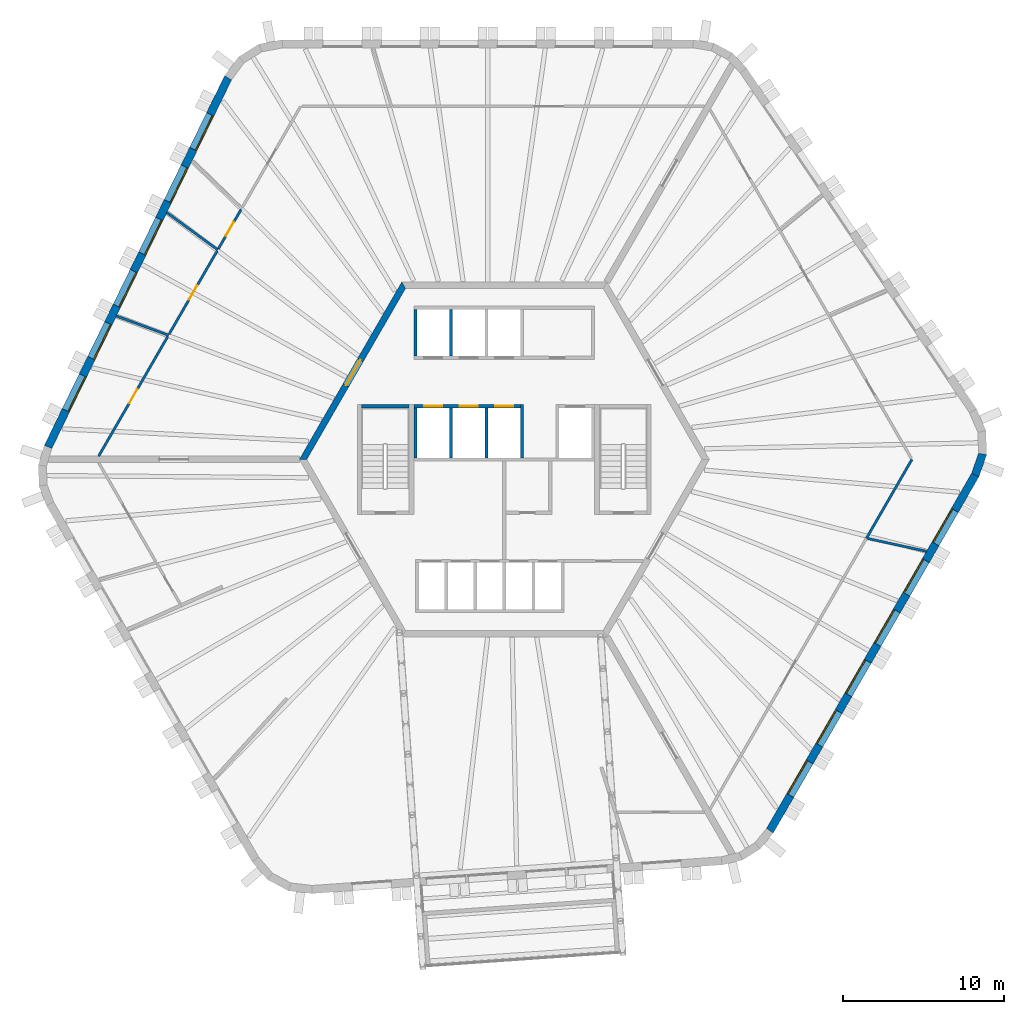
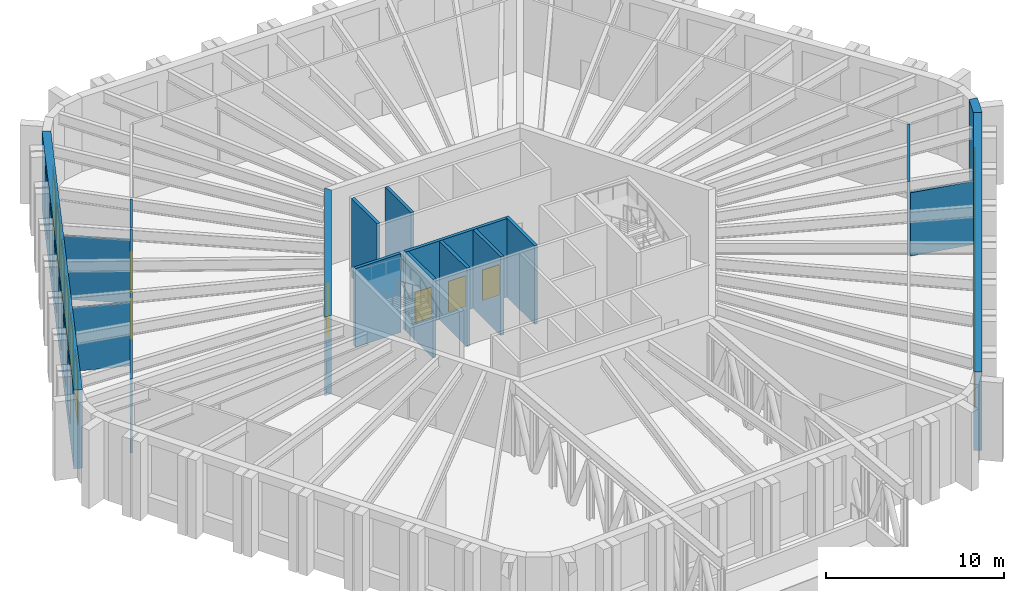
# One storey, part 5 of 9: 19 walls, 12 windows, 7 doors, 19 openings.
"""IFC4 building model written with IfcOpenShell, lengths in metres."""

from ifc_helpers import new_model, si_unit, direction, frame, frame_2d, origin, place, context, subcontext, project, spatial, polyline, rectangle, outline, extrude, material, layer, layer_set, type_object, element, fill, save


model = new_model("IFC4")

# Units and contexts
model_context = context("Model", 3, precision=1e-05, world=origin(), true_north=direction((0.0, 1.0)))
body_context = subcontext(model_context, "Body", "Model", "MODEL_VIEW")
ifc_project = project(units=[si_unit("LENGTHUNIT", "METRE"), si_unit("AREAUNIT", "SQUARE_METRE"), si_unit("VOLUMEUNIT", "CUBIC_METRE"), si_unit("PLANEANGLEUNIT", "RADIAN"), si_unit("MASSUNIT", "GRAM", prefix="KILO")], contexts=[model_context])

# Site, building, storey
site_placement = place(None, origin())
site = spatial("IfcSite", under=ifc_project, at=site_placement, CompositionType="ELEMENT")
building_placement = place(site_placement, origin())
building = spatial("IfcBuilding", under=site, at=building_placement, Name="Tarnside Tower", CompositionType="ELEMENT")
storey_placement = place(building_placement, frame((0.0, 0.0, 338.10009765625)))
storey = spatial("IfcBuildingStorey", under=building, at=storey_placement, Name="L82", CompositionType="ELEMENT", Elevation=338.10009765625)

# Wall, opening, door
ifc_material_1 = material(Name="Concrete C60/75", Category="concrete")
ifc_layer_1 = layer(ifc_material_1, 0.39990234375)
ifc_layer_set_1 = layer_set([ifc_layer_1], Name="Core wall Z3 400 C60/75")
wall_type_1 = type_object("IfcWallType", Name="Core wall Z3 400 C60/75", PredefinedType="SHEAR", material=ifc_layer_set_1)
wall_1_placement = place(storey_placement, frame((-6.2353515625, 10.800048828125, -0.300048828125), z_axis=(0.0, 0.0, 1.0), x_axis=(-0.499996419489, -0.866027470984, 0.0)))
wall_1 = element("IfcWall", 1, at=wall_1_placement, inside=storey, type_object=wall_type_1, Name="L82 core wall face 2", PredefinedType="SHEAR", context=body_context, shape_type="SweptSolid", body=[
    extrude(outline(polyline([(-0.115478515625, -0.199951171875), (12.586181640625, -0.199951171875), (12.355224609375, 0.199951171875), (0.115478515625, 0.199951171875), (-0.115478515625, -0.199951171875)])), origin(), (0.0, 0.0, 1.0), 5.39990234375),
])
opening_1_placement = place(wall_1_placement, frame((5.3642578125, 0.0, 0.300048828125)))
opening_1 = element("IfcOpeningElement", 2, at=opening_1_placement, cuts=wall_1, Name="Opening CD-LOB", PredefinedType="OPENING", context=body_context, shape_type="SweptSolid", body=[
    extrude(rectangle(XDim=1.800048828125, YDim=2.39990234375, at=frame_2d((0.89990234375, 1.199951171875))), frame((0.0, 0.2099609375, 0.0), z_axis=(0.0, -1.0, 0.0), x_axis=(1.0, 0.0, 0.0)), (0.0, 0.0, 1.0), 0.419921875),
])
ifc_material_2 = material(Name="Steel fire door", Category="steel")
door_type_1 = type_object("IfcDoorType", Name="Lobby double door FD30S 1800x2400", OperationType="NOTDEFINED", PredefinedType="DOOR", material=ifc_material_2)
door_1_placement = place(opening_1_placement, origin())
door_1 = element("IfcDoor", 3, at=door_1_placement, inside=storey, type_object=door_type_1, Name="L82 core door P1", OperationType="DOUBLE_DOOR_SINGLE_SWING", OverallHeight=2.39990234375, OverallWidth=1.800048828125, PredefinedType="DOOR", context=body_context, shape_type="SweptSolid", body=[
    extrude(rectangle(XDim=1.800048828125, YDim=2.39990234375, at=frame_2d((0.89990234375, 1.199951171875))), frame((0.0, 0.02490234375, 0.0), z_axis=(0.0, -1.0, 0.0), x_axis=(1.0, 0.0, 0.0)), (0.0, 0.0, 1.0), 0.050048828125),
])
fill(opening_1, door_1)

# Walls
ifc_material_3 = material(Name="Concrete C40/50", Category="concrete")
ifc_layer_2 = layer(ifc_material_3, 0.199951171875)
ifc_layer_set_2 = layer_set([ifc_layer_2], Name="Lift shaft wall 200 C40/50")
wall_type_2 = type_object("IfcWallType", Name="Lift shaft wall 200 C40/50", PredefinedType="SHEAR", material=ifc_layer_set_2)
for number, where, z_axis, x_axis, name in (
    (4, (-5.5, 6.39990234375, -0.25), (0.0, 0.0, 1.0), (0.0, 1.0, 0.0), "L82 lift shaft partition R11"),
    (5, (-3.300048828125, 6.39990234375, -0.25), (0.0, 0.0, 1.0), (0.0, 1.0, 0.0), "L82 lift shaft partition R12"),
):
    element("IfcWall", number, at=place(storey_placement, frame(where, z_axis=z_axis, x_axis=x_axis)), inside=storey, type_object=wall_type_2, Name=name, PredefinedType="SHEAR", context=body_context, shape_type="SweptSolid", body=[
        extrude(rectangle(XDim=2.900146484375, YDim=0.199951171875, at=frame_2d((1.4501953125, 0.0))), origin(), (0.0, 0.0, 1.0), 5.39990234375),
    ])

# Wall, openings, doors
wall_2_placement = place(storey_placement, frame((-5.60009765625, 3.300048828125, -0.25), z_axis=(0.0, 0.0, 1.0), x_axis=(1.0, 0.0, 0.0)))
wall_2 = element("IfcWall", 6, at=wall_2_placement, inside=storey, type_object=wall_type_2, Name="L82 lift shaft front wall R2", PredefinedType="SHEAR", context=body_context, shape_type="SweptSolid", body=[
    extrude(rectangle(XDim=6.60009765625, YDim=0.199951171875, at=frame_2d((3.300048828125, 0.0))), origin(), (0.0, 0.0, 1.0), 5.39990234375),
])
opening_2_placement = place(wall_2_placement, frame((0.64990234375, 0.0, 0.25)))
opening_2 = element("IfcOpeningElement", 7, at=opening_2_placement, cuts=wall_2, Name="Opening LD", PredefinedType="OPENING", context=body_context, shape_type="SweptSolid", body=[
    extrude(rectangle(XDim=1.10009765625, YDim=2.10009765625, at=frame_2d((0.550048828125, 1.050048828125))), frame((0.0, 0.10986328125, 0.0), z_axis=(0.0, -1.0, 0.0), x_axis=(1.0, 0.0, 0.0)), (0.0, 0.0, 1.0), 0.219970703125),
])
opening_3_placement = place(wall_2_placement, frame((2.85009765625, 0.0, 0.25)))
opening_3 = element("IfcOpeningElement", 8, at=opening_3_placement, cuts=wall_2, Name="Opening LD", PredefinedType="OPENING", context=body_context, shape_type="SweptSolid", body=[
    extrude(rectangle(XDim=1.10009765625, YDim=2.10009765625, at=frame_2d((0.550048828125, 1.050048828125))), frame((0.0, 0.10986328125, 0.0), z_axis=(0.0, -1.0, 0.0), x_axis=(1.0, 0.0, 0.0)), (0.0, 0.0, 1.0), 0.219970703125),
])
opening_4_placement = place(wall_2_placement, frame((5.050048828125, 0.0, 0.25)))
opening_4 = element("IfcOpeningElement", 9, at=opening_4_placement, cuts=wall_2, Name="Opening LD", PredefinedType="OPENING", context=body_context, shape_type="SweptSolid", body=[
    extrude(rectangle(XDim=1.10009765625, YDim=2.10009765625, at=frame_2d((0.550048828125, 1.050048828125))), frame((0.0, 0.10986328125, 0.0), z_axis=(0.0, -1.0, 0.0), x_axis=(1.0, 0.0, 0.0)), (0.0, 0.0, 1.0), 0.219970703125),
])
ifc_material_4 = material(Name="Stainless steel", Category="steel")
door_type_2 = type_object("IfcDoorType", Name="Lift landing door 1100x2100", OperationType="NOTDEFINED", PredefinedType="DOOR", material=ifc_material_4)
door_2_placement = place(opening_2_placement, origin())
door_2 = element("IfcDoor", 10, at=door_2_placement, inside=storey, type_object=door_type_2, Name="High-rise lift 4 landing door L82", OperationType="SLIDING_TO_LEFT", OverallHeight=2.10009765625, OverallWidth=1.10009765625, PredefinedType="DOOR", context=body_context, shape_type="SweptSolid", body=[
    extrude(rectangle(XDim=1.10009765625, YDim=2.10009765625, at=frame_2d((0.550048828125, 1.050048828125))), frame((0.0, 0.02490234375, 0.0), z_axis=(0.0, -1.0, 0.0), x_axis=(1.0, 0.0, 0.0)), (0.0, 0.0, 1.0), 0.050048828125),
])
fill(opening_2, door_2)
door_3_placement = place(opening_3_placement, origin())
door_3 = element("IfcDoor", 11, at=door_3_placement, inside=storey, type_object=door_type_2, Name="High-rise lift 5 landing door L82", OperationType="SLIDING_TO_LEFT", OverallHeight=2.10009765625, OverallWidth=1.10009765625, PredefinedType="DOOR", context=body_context, shape_type="SweptSolid", body=[
    extrude(rectangle(XDim=1.10009765625, YDim=2.10009765625, at=frame_2d((0.550048828125, 1.050048828125))), frame((0.0, 0.02490234375, 0.0), z_axis=(0.0, -1.0, 0.0), x_axis=(1.0, 0.0, 0.0)), (0.0, 0.0, 1.0), 0.050048828125),
])
fill(opening_3, door_3)
door_4_placement = place(opening_4_placement, origin())
door_4 = element("IfcDoor", 12, at=door_4_placement, inside=storey, type_object=door_type_2, Name="High-rise lift 6 landing door L82", OperationType="SLIDING_TO_LEFT", OverallHeight=2.10009765625, OverallWidth=1.10009765625, PredefinedType="DOOR", context=body_context, shape_type="SweptSolid", body=[
    extrude(rectangle(XDim=1.10009765625, YDim=2.10009765625, at=frame_2d((0.550048828125, 1.050048828125))), frame((0.0, 0.02490234375, 0.0), z_axis=(0.0, -1.0, 0.0), x_axis=(1.0, 0.0, 0.0)), (0.0, 0.0, 1.0), 0.050048828125),
])
fill(opening_4, door_4)

# Walls
for number, where, z_axis, x_axis, name in (
    (13, (-5.5, 0.10009765625, -0.25), (0.0, 0.0, 1.0), (0.0, 1.0, 0.0), "L82 lift shaft partition R21"),
    (14, (-3.300048828125, 0.10009765625, -0.25), (0.0, 0.0, 1.0), (0.0, 1.0, 0.0), "L82 lift shaft partition R22"),
    (15, (-1.10009765625, 0.10009765625, -0.25), (0.0, 0.0, 1.0), (0.0, 1.0, 0.0), "L82 lift shaft partition R23"),
):
    element("IfcWall", number, at=place(storey_placement, frame(where, z_axis=z_axis, x_axis=x_axis)), inside=storey, type_object=wall_type_2, Name=name, PredefinedType="SHEAR", context=body_context, shape_type="SweptSolid", body=[
        extrude(rectangle(XDim=3.099853515625, YDim=0.199951171875, at=frame_2d((1.5498046875, 0.0))), origin(), (0.0, 0.0, 1.0), 5.39990234375),
    ])
wall_3_placement = place(storey_placement, frame((1.10009765625, 0.10009765625, -0.25), z_axis=(0.0, 0.0, 1.0), x_axis=(0.0, 1.0, 0.0)))
element("IfcWall", 16, at=wall_3_placement, inside=storey, type_object=wall_type_2, Name="L82 lift shaft partition R24", PredefinedType="SHEAR", context=body_context, shape_type="SweptSolid", body=[
    extrude(rectangle(XDim=3.2998046875, YDim=0.199951171875, at=frame_2d((1.64990234375, 0.0))), origin(), (0.0, 0.0, 1.0), 5.39990234375),
])
wall_4_placement = place(storey_placement, frame((-8.85009765625, 3.300048828125, -0.25), z_axis=(0.0, 0.0, 1.0), x_axis=(1.0, 0.0, 0.0)))
element("IfcWall", 17, at=wall_4_placement, inside=storey, type_object=wall_type_2, Name="L82 stair 2 enclosure cap wall n", PredefinedType="SHEAR", context=body_context, shape_type="SweptSolid", body=[
    extrude(rectangle(XDim=2.9501953125, YDim=0.199951171875, at=frame_2d((1.47509765625, 0.0))), origin(), (0.0, 0.0, 1.0), 5.39990234375),
])
ifc_material_5 = material(Name="Gypsum board")
ifc_layer_3 = layer(ifc_material_5, 0.14990234375)
ifc_layer_set_3 = layer_set([ifc_layer_3], Name="Partition 150 gypsum board on metal stud")
wall_type_3 = type_object("IfcWallType", Name="Partition 150 gypsum board on metal stud", PredefinedType="PARTITIONING", material=ifc_layer_set_3)
wall_5_placement = place(storey_placement, frame((-24.037109375, 8.885986328125, 0.0), z_axis=(0.0, 0.0, 1.0), x_axis=(0.938027612167, -0.346560526911, 0.0)))
element("IfcWall", 18, at=wall_5_placement, inside=storey, type_object=wall_type_3, Name="Partition 002", PredefinedType="PARTITIONING", context=body_context, shape_type="SweptSolid", body=[
    extrude(rectangle(XDim=3.439208984375, YDim=0.14990234375, at=frame_2d((1.7197265625, 0.0))), origin(), (0.0, 0.0, 1.0), 4.345947265625),
])
wall_6_placement = place(storey_placement, frame((-20.912109375, 15.294921875, 0.0), z_axis=(0.0, 0.0, 1.0), x_axis=(0.807083298113, -0.590437591882, 0.0)))
element("IfcWall", 19, at=wall_6_placement, inside=storey, type_object=wall_type_3, Name="Partition 005", PredefinedType="PARTITIONING", context=body_context, shape_type="SweptSolid", body=[
    extrude(rectangle(XDim=3.910400390625, YDim=0.14990234375, at=frame_2d((1.955078125, 0.0))), origin(), (0.0, 0.0, 1.0), 4.345947265625),
])

# Wall, opening, door
wall_7_placement = place(storey_placement, frame((-25.137939453125, 0.199951171875, 0.0), z_axis=(0.0, 0.0, 1.0), x_axis=(0.500011542666, 0.866018739521, 0.0)))
wall_7 = element("IfcWall", 20, at=wall_7_placement, inside=storey, type_object=wall_type_3, Name="Partition 006", PredefinedType="PARTITIONING", context=body_context, shape_type="SweptSolid", body=[
    extrude(rectangle(XDim=8.577392578125, YDim=0.14990234375, at=frame_2d((4.28857421875, 0.0))), origin(), (0.0, 0.0, 1.0), 5.099853515625),
])
opening_5_placement = place(wall_7_placement, frame((3.788818359375, 0.0, 0.0)))
opening_5 = element("IfcOpeningElement", 21, at=opening_5_placement, cuts=wall_7, Name="Opening D1000F30", PredefinedType="OPENING", context=body_context, shape_type="SweptSolid", body=[
    extrude(rectangle(XDim=1.0, YDim=2.10009765625, at=frame_2d((0.5, 1.050048828125))), frame((0.0, 0.0849609375, 0.0), z_axis=(0.0, -1.0, 0.0), x_axis=(1.0, 0.0, 0.0)), (0.0, 0.0, 1.0), 0.169921875),
])
ifc_material_6 = material(Name="Timber door leaf", Category="wood")
door_type_3 = type_object("IfcDoorType", Name="Door 1000 x 2100 single leaf FD30S fire door", OperationType="NOTDEFINED", PredefinedType="DOOR", material=ifc_material_6)
door_5_placement = place(opening_5_placement, origin())
door_5 = element("IfcDoor", 22, at=door_5_placement, inside=storey, type_object=door_type_3, Name="Door L82-03", OperationType="SINGLE_SWING_RIGHT", OverallHeight=2.10009765625, OverallWidth=1.0, PredefinedType="DOOR", context=body_context, shape_type="SweptSolid", body=[
    extrude(rectangle(XDim=1.0, YDim=2.10009765625, at=frame_2d((0.5, 1.050048828125))), frame((0.0, 0.02490234375, 0.0), z_axis=(0.0, -1.0, 0.0), x_axis=(1.0, 0.0, 0.0)), (0.0, 0.0, 1.0), 0.050048828125),
])
fill(opening_5, door_5)

wall_8_placement = place(storey_placement, frame((-20.77294921875, 7.760009765625, 0.0), z_axis=(0.0, 0.0, 1.0), x_axis=(0.49996834992, 0.866043676195, 0.0)))
wall_8 = element("IfcWall", 23, at=wall_8_placement, inside=storey, type_object=wall_type_3, Name="Partition 010", PredefinedType="PARTITIONING", context=body_context, shape_type="SweptSolid", body=[
    extrude(rectangle(XDim=5.958984375, YDim=0.14990234375, at=frame_2d((2.9794921875, 0.0))), origin(), (0.0, 0.0, 1.0), 5.099853515625),
])
opening_6_placement = place(wall_8_placement, frame((2.4794921875, 0.0, 0.0)))
opening_6 = element("IfcOpeningElement", 24, at=opening_6_placement, cuts=wall_8, Name="Opening D1000F30", PredefinedType="OPENING", context=body_context, shape_type="SweptSolid", body=[
    extrude(rectangle(XDim=1.0, YDim=2.10009765625, at=frame_2d((0.5, 1.050048828125))), frame((0.0, 0.0849609375, 0.0), z_axis=(0.0, -1.0, 0.0), x_axis=(1.0, 0.0, 0.0)), (0.0, 0.0, 1.0), 0.169921875),
])
door_6_placement = place(opening_6_placement, origin())
door_6 = element("IfcDoor", 25, at=door_6_placement, inside=storey, type_object=door_type_3, Name="Door L82-04", OperationType="SINGLE_SWING_LEFT", OverallHeight=2.10009765625, OverallWidth=1.0, PredefinedType="DOOR", context=body_context, shape_type="SweptSolid", body=[
    extrude(rectangle(XDim=1.0, YDim=2.10009765625, at=frame_2d((0.5, 1.050048828125))), frame((0.0, 0.02490234375, 0.0), z_axis=(0.0, -1.0, 0.0), x_axis=(1.0, 0.0, 0.0)), (0.0, 0.0, 1.0), 0.050048828125),
])
fill(opening_6, door_6)

wall_9_placement = place(storey_placement, frame((-17.71826171875, 13.05126953125, 0.0), z_axis=(0.0, 0.0, 1.0), x_axis=(0.4998875608, 0.866090310855, 0.0)))
wall_9 = element("IfcWall", 26, at=wall_9_placement, inside=storey, type_object=wall_type_3, Name="Partition 011", PredefinedType="PARTITIONING", context=body_context, shape_type="SweptSolid", body=[
    extrude(rectangle(XDim=2.816162109375, YDim=0.14990234375, at=frame_2d((1.408203125, 0.0))), origin(), (0.0, 0.0, 1.0), 5.099853515625),
])
opening_7_placement = place(wall_9_placement, frame((0.907958984375, 0.0, 0.0)))
opening_7 = element("IfcOpeningElement", 27, at=opening_7_placement, cuts=wall_9, Name="Opening D1000F30", PredefinedType="OPENING", context=body_context, shape_type="SweptSolid", body=[
    extrude(rectangle(XDim=1.0, YDim=2.10009765625, at=frame_2d((0.5, 1.050048828125))), frame((0.0, 0.0849609375, 0.0), z_axis=(0.0, -1.0, 0.0), x_axis=(1.0, 0.0, 0.0)), (0.0, 0.0, 1.0), 0.169921875),
])
door_7_placement = place(opening_7_placement, origin())
door_7 = element("IfcDoor", 28, at=door_7_placement, inside=storey, type_object=door_type_3, Name="Door L82-05", OperationType="SINGLE_SWING_RIGHT", OverallHeight=2.10009765625, OverallWidth=1.0, PredefinedType="DOOR", context=body_context, shape_type="SweptSolid", body=[
    extrude(rectangle(XDim=1.0, YDim=2.10009765625, at=frame_2d((0.5, 1.050048828125))), frame((0.0, 0.02490234375, 0.0), z_axis=(0.0, -1.0, 0.0), x_axis=(1.0, 0.0, 0.0)), (0.0, 0.0, 1.0), 0.050048828125),
])
fill(opening_7, door_7)

# Walls
wall_10_placement = place(storey_placement, frame((22.43310546875, -4.885009765625, 0.0), z_axis=(0.0, 0.0, 1.0), x_axis=(0.499928530066, 0.866066663038, 0.0)))
element("IfcWall", 29, at=wall_10_placement, inside=storey, type_object=wall_type_3, Name="Partition 023", PredefinedType="PARTITIONING", context=body_context, shape_type="SweptSolid", body=[
    extrude(rectangle(XDim=5.640380859375, YDim=0.14990234375, at=frame_2d((2.8203125, 0.0))), origin(), (0.0, 0.0, 1.0), 5.099853515625),
])
wall_11_placement = place(storey_placement, frame((26.156005859375, -5.696044921875, 0.0), z_axis=(0.0, 0.0, 1.0), x_axis=(-0.977088296013, 0.212834352948, 0.0)))
element("IfcWall", 30, at=wall_11_placement, inside=storey, type_object=wall_type_3, Name="Partition 026", PredefinedType="PARTITIONING", context=body_context, shape_type="SweptSolid", body=[
    extrude(rectangle(XDim=3.7314453125, YDim=0.14990234375, at=frame_2d((1.86572265625, 0.0))), origin(), (0.0, 0.0, 1.0), 4.345947265625),
])

# Wall, openings, windows
ifc_material_7 = material(Name="Facing brick", Category="masonry")
ifc_layer_4 = layer(ifc_material_7, 0.10205078125)
ifc_material_8 = material(Name="Concrete C60/75 precast", Category="concrete")
ifc_layer_5 = layer(ifc_material_8, 0.298095703125)
ifc_material_9 = material(Name="Mineral wool insulation")
ifc_layer_6 = layer(ifc_material_9, 0.10009765625)
ifc_layer_set_4 = layer_set([ifc_layer_4, ifc_layer_5, ifc_layer_6], Name="Tube wall 500 brick faced")
wall_type_4 = type_object("IfcWallType", Name="Tube wall 500 brick faced", PredefinedType="SOLIDWALL", material=ifc_layer_set_4)
wall_12_placement = place(storey_placement, frame((-17.11767578125, 23.643798828125, -0.300048828125), z_axis=(0.0, 0.0, 1.0), x_axis=(-0.438368241894, -0.898795463106, 0.0)))
wall_12 = element("IfcWall", 31, at=wall_12_placement, inside=storey, type_object=wall_type_4, Name="Tube wall L82 F2 flush 04", PredefinedType="SOLIDWALL", context=body_context, shape_type="SweptSolid", body=[
    extrude(outline(polyline([(-0.0234375, -0.25), (25.465087890625, -0.25), (25.424072265625, 0.25), (0.0234375, 0.25), (-0.0234375, -0.25)])), origin(), (0.0, 0.0, 1.0), 5.39990234375),
])
opening_8_placement = place(wall_12_placement, frame((2.5224609375, 0.0, 1.199951171875)))
opening_8 = element("IfcOpeningElement", 32, at=opening_8_placement, cuts=wall_12, Name="Opening WA", PredefinedType="OPENING", context=body_context, shape_type="SweptSolid", body=[
    extrude(rectangle(XDim=2.39990234375, YDim=3.60009765625, at=frame_2d((1.199951171875, 1.800048828125))), frame((0.0, 0.260009765625, 0.0), z_axis=(0.0, -1.0, 0.0), x_axis=(1.0, 0.0, 0.0)), (0.0, 0.0, 1.0), 0.52001953125),
])
opening_9_placement = place(wall_12_placement, frame((6.122314453125, 0.0, 1.199951171875)))
opening_9 = element("IfcOpeningElement", 33, at=opening_9_placement, cuts=wall_12, Name="Opening WA", PredefinedType="OPENING", context=body_context, shape_type="SweptSolid", body=[
    extrude(rectangle(XDim=2.39990234375, YDim=3.60009765625, at=frame_2d((1.199951171875, 1.800048828125))), frame((0.0, 0.260009765625, 0.0), z_axis=(0.0, -1.0, 0.0), x_axis=(1.0, 0.0, 0.0)), (0.0, 0.0, 1.0), 0.52001953125),
])
opening_10_placement = place(wall_12_placement, frame((9.722412109375, 0.0, 1.199951171875)))
opening_10 = element("IfcOpeningElement", 34, at=opening_10_placement, cuts=wall_12, Name="Opening WA", PredefinedType="OPENING", context=body_context, shape_type="SweptSolid", body=[
    extrude(rectangle(XDim=2.39990234375, YDim=3.60009765625, at=frame_2d((1.199951171875, 1.800048828125))), frame((0.0, 0.260009765625, 0.0), z_axis=(0.0, -1.0, 0.0), x_axis=(1.0, 0.0, 0.0)), (0.0, 0.0, 1.0), 0.52001953125),
])
opening_11_placement = place(wall_12_placement, frame((13.322509765625, 0.0, 1.199951171875)))
opening_11 = element("IfcOpeningElement", 35, at=opening_11_placement, cuts=wall_12, Name="Opening WA", PredefinedType="OPENING", context=body_context, shape_type="SweptSolid", body=[
    extrude(rectangle(XDim=2.39990234375, YDim=3.60009765625, at=frame_2d((1.199951171875, 1.800048828125))), frame((0.0, 0.260009765625, 0.0), z_axis=(0.0, -1.0, 0.0), x_axis=(1.0, 0.0, 0.0)), (0.0, 0.0, 1.0), 0.52001953125),
])
opening_12_placement = place(wall_12_placement, frame((16.92236328125, 0.0, 1.199951171875)))
opening_12 = element("IfcOpeningElement", 36, at=opening_12_placement, cuts=wall_12, Name="Opening WA", PredefinedType="OPENING", context=body_context, shape_type="SweptSolid", body=[
    extrude(rectangle(XDim=2.39990234375, YDim=3.60009765625, at=frame_2d((1.199951171875, 1.800048828125))), frame((0.0, 0.260009765625, 0.0), z_axis=(0.0, -1.0, 0.0), x_axis=(1.0, 0.0, 0.0)), (0.0, 0.0, 1.0), 0.52001953125),
])
opening_13_placement = place(wall_12_placement, frame((20.5224609375, 0.0, 1.199951171875)))
opening_13 = element("IfcOpeningElement", 37, at=opening_13_placement, cuts=wall_12, Name="Opening WA", PredefinedType="OPENING", context=body_context, shape_type="SweptSolid", body=[
    extrude(rectangle(XDim=2.39990234375, YDim=3.60009765625, at=frame_2d((1.199951171875, 1.800048828125))), frame((0.0, 0.260009765625, 0.0), z_axis=(0.0, -1.0, 0.0), x_axis=(1.0, 0.0, 0.0)), (0.0, 0.0, 1.0), 0.52001953125),
])
ifc_material_10 = material(Name="Aluminium-framed double glazing", Category="aluminium")
window_type = type_object("IfcWindowType", Name="Amenity window 2400 x 3600", PartitioningType="DOUBLE_PANEL_VERTICAL", PredefinedType="WINDOW", material=ifc_material_10)
window_1_placement = place(opening_8_placement, frame((0.0, 0.179931640625, 0.0)))
window_1 = element("IfcWindow", 38, at=window_1_placement, inside=storey, type_object=window_type, Name="E.WN.L82.F2.00", OverallHeight=3.60009765625, OverallWidth=2.39990234375, PartitioningType="DOUBLE_PANEL_VERTICAL", PredefinedType="WINDOW", context=body_context, shape_type="SweptSolid", body=[
    extrude(rectangle(XDim=2.39990234375, YDim=3.60009765625, at=frame_2d((1.199951171875, 1.800048828125))), frame((0.0, 0.030029296875, 0.0), z_axis=(0.0, -1.0, 0.0), x_axis=(1.0, 0.0, 0.0)), (0.0, 0.0, 1.0), 0.06005859375),
])
fill(opening_8, window_1)
window_2_placement = place(opening_9_placement, frame((0.0, 0.179931640625, 0.0)))
window_2 = element("IfcWindow", 39, at=window_2_placement, inside=storey, type_object=window_type, Name="E.WN.L82.F2.01", OverallHeight=3.60009765625, OverallWidth=2.39990234375, PartitioningType="DOUBLE_PANEL_VERTICAL", PredefinedType="WINDOW", context=body_context, shape_type="SweptSolid", body=[
    extrude(rectangle(XDim=2.39990234375, YDim=3.60009765625, at=frame_2d((1.199951171875, 1.800048828125))), frame((0.0, 0.030029296875, 0.0), z_axis=(0.0, -1.0, 0.0), x_axis=(1.0, 0.0, 0.0)), (0.0, 0.0, 1.0), 0.06005859375),
])
fill(opening_9, window_2)
window_3_placement = place(opening_10_placement, frame((0.0, 0.179931640625, 0.0)))
window_3 = element("IfcWindow", 40, at=window_3_placement, inside=storey, type_object=window_type, Name="E.WN.L82.F2.02", OverallHeight=3.60009765625, OverallWidth=2.39990234375, PartitioningType="DOUBLE_PANEL_VERTICAL", PredefinedType="WINDOW", context=body_context, shape_type="SweptSolid", body=[
    extrude(rectangle(XDim=2.39990234375, YDim=3.60009765625, at=frame_2d((1.199951171875, 1.800048828125))), frame((0.0, 0.030029296875, 0.0), z_axis=(0.0, -1.0, 0.0), x_axis=(1.0, 0.0, 0.0)), (0.0, 0.0, 1.0), 0.06005859375),
])
fill(opening_10, window_3)
window_4_placement = place(opening_11_placement, frame((0.0, 0.179931640625, 0.0)))
window_4 = element("IfcWindow", 41, at=window_4_placement, inside=storey, type_object=window_type, Name="E.WN.L82.F2.03", OverallHeight=3.60009765625, OverallWidth=2.39990234375, PartitioningType="DOUBLE_PANEL_VERTICAL", PredefinedType="WINDOW", context=body_context, shape_type="SweptSolid", body=[
    extrude(rectangle(XDim=2.39990234375, YDim=3.60009765625, at=frame_2d((1.199951171875, 1.800048828125))), frame((0.0, 0.030029296875, 0.0), z_axis=(0.0, -1.0, 0.0), x_axis=(1.0, 0.0, 0.0)), (0.0, 0.0, 1.0), 0.06005859375),
])
fill(opening_11, window_4)
window_5_placement = place(opening_12_placement, frame((0.0, 0.179931640625, 0.0)))
window_5 = element("IfcWindow", 42, at=window_5_placement, inside=storey, type_object=window_type, Name="E.WN.L82.F2.04", OverallHeight=3.60009765625, OverallWidth=2.39990234375, PartitioningType="DOUBLE_PANEL_VERTICAL", PredefinedType="WINDOW", context=body_context, shape_type="SweptSolid", body=[
    extrude(rectangle(XDim=2.39990234375, YDim=3.60009765625, at=frame_2d((1.199951171875, 1.800048828125))), frame((0.0, 0.030029296875, 0.0), z_axis=(0.0, -1.0, 0.0), x_axis=(1.0, 0.0, 0.0)), (0.0, 0.0, 1.0), 0.06005859375),
])
fill(opening_12, window_5)
window_6_placement = place(opening_13_placement, frame((0.0, 0.179931640625, 0.0)))
window_6 = element("IfcWindow", 43, at=window_6_placement, inside=storey, type_object=window_type, Name="E.WN.L82.F2.05", OverallHeight=3.60009765625, OverallWidth=2.39990234375, PartitioningType="DOUBLE_PANEL_VERTICAL", PredefinedType="WINDOW", context=body_context, shape_type="SweptSolid", body=[
    extrude(rectangle(XDim=2.39990234375, YDim=3.60009765625, at=frame_2d((1.199951171875, 1.800048828125))), frame((0.0, 0.030029296875, 0.0), z_axis=(0.0, -1.0, 0.0), x_axis=(1.0, 0.0, 0.0)), (0.0, 0.0, 1.0), 0.06005859375),
])
fill(opening_13, window_6)

wall_13_placement = place(storey_placement, frame((16.451416015625, -23.00537109375, -0.300048828125), z_axis=(0.0, 0.0, 1.0), x_axis=(0.500003737743, 0.866023245787, 0.0)))
wall_13 = element("IfcWall", 44, at=wall_13_placement, inside=storey, type_object=wall_type_4, Name="Tube wall L82 F5 flush 16", PredefinedType="SOLIDWALL", context=body_context, shape_type="SweptSolid", body=[
    extrude(outline(polyline([(-0.0205078125, -0.25), (25.468017578125, -0.25), (25.421142578125, 0.25), (0.0205078125, 0.25), (-0.0205078125, -0.25)])), origin(), (0.0, 0.0, 1.0), 5.39990234375),
])
opening_14_placement = place(wall_13_placement, frame((2.5224609375, 0.0, 1.199951171875)))
opening_14 = element("IfcOpeningElement", 45, at=opening_14_placement, cuts=wall_13, Name="Opening WA", PredefinedType="OPENING", context=body_context, shape_type="SweptSolid", body=[
    extrude(rectangle(XDim=2.39990234375, YDim=3.60009765625, at=frame_2d((1.199951171875, 1.800048828125))), frame((0.0, 0.260009765625, 0.0), z_axis=(0.0, -1.0, 0.0), x_axis=(1.0, 0.0, 0.0)), (0.0, 0.0, 1.0), 0.52001953125),
])
opening_15_placement = place(wall_13_placement, frame((6.122314453125, 0.0, 1.199951171875)))
opening_15 = element("IfcOpeningElement", 46, at=opening_15_placement, cuts=wall_13, Name="Opening WA", PredefinedType="OPENING", context=body_context, shape_type="SweptSolid", body=[
    extrude(rectangle(XDim=2.39990234375, YDim=3.60009765625, at=frame_2d((1.199951171875, 1.800048828125))), frame((0.0, 0.260009765625, 0.0), z_axis=(0.0, -1.0, 0.0), x_axis=(1.0, 0.0, 0.0)), (0.0, 0.0, 1.0), 0.52001953125),
])
opening_16_placement = place(wall_13_placement, frame((9.722412109375, 0.0, 1.199951171875)))
opening_16 = element("IfcOpeningElement", 47, at=opening_16_placement, cuts=wall_13, Name="Opening WA", PredefinedType="OPENING", context=body_context, shape_type="SweptSolid", body=[
    extrude(rectangle(XDim=2.39990234375, YDim=3.60009765625, at=frame_2d((1.199951171875, 1.800048828125))), frame((0.0, 0.260009765625, 0.0), z_axis=(0.0, -1.0, 0.0), x_axis=(1.0, 0.0, 0.0)), (0.0, 0.0, 1.0), 0.52001953125),
])
opening_17_placement = place(wall_13_placement, frame((13.322509765625, 0.0, 1.199951171875)))
opening_17 = element("IfcOpeningElement", 48, at=opening_17_placement, cuts=wall_13, Name="Opening WA", PredefinedType="OPENING", context=body_context, shape_type="SweptSolid", body=[
    extrude(rectangle(XDim=2.39990234375, YDim=3.60009765625, at=frame_2d((1.199951171875, 1.800048828125))), frame((0.0, 0.260009765625, 0.0), z_axis=(0.0, -1.0, 0.0), x_axis=(1.0, 0.0, 0.0)), (0.0, 0.0, 1.0), 0.52001953125),
])
opening_18_placement = place(wall_13_placement, frame((16.92236328125, 0.0, 1.199951171875)))
opening_18 = element("IfcOpeningElement", 49, at=opening_18_placement, cuts=wall_13, Name="Opening WA", PredefinedType="OPENING", context=body_context, shape_type="SweptSolid", body=[
    extrude(rectangle(XDim=2.39990234375, YDim=3.60009765625, at=frame_2d((1.199951171875, 1.800048828125))), frame((0.0, 0.260009765625, 0.0), z_axis=(0.0, -1.0, 0.0), x_axis=(1.0, 0.0, 0.0)), (0.0, 0.0, 1.0), 0.52001953125),
])
opening_19_placement = place(wall_13_placement, frame((20.5224609375, 0.0, 1.199951171875)))
opening_19 = element("IfcOpeningElement", 50, at=opening_19_placement, cuts=wall_13, Name="Opening WA", PredefinedType="OPENING", context=body_context, shape_type="SweptSolid", body=[
    extrude(rectangle(XDim=2.39990234375, YDim=3.60009765625, at=frame_2d((1.199951171875, 1.800048828125))), frame((0.0, 0.260009765625, 0.0), z_axis=(0.0, -1.0, 0.0), x_axis=(1.0, 0.0, 0.0)), (0.0, 0.0, 1.0), 0.52001953125),
])
window_7_placement = place(opening_14_placement, frame((0.0, 0.179931640625, 0.0)))
window_7 = element("IfcWindow", 51, at=window_7_placement, inside=storey, type_object=window_type, Name="E.WN.L82.F5.00", OverallHeight=3.60009765625, OverallWidth=2.39990234375, PartitioningType="DOUBLE_PANEL_VERTICAL", PredefinedType="WINDOW", context=body_context, shape_type="SweptSolid", body=[
    extrude(rectangle(XDim=2.39990234375, YDim=3.60009765625, at=frame_2d((1.199951171875, 1.800048828125))), frame((0.0, 0.030029296875, 0.0), z_axis=(0.0, -1.0, 0.0), x_axis=(1.0, 0.0, 0.0)), (0.0, 0.0, 1.0), 0.06005859375),
])
fill(opening_14, window_7)
window_8_placement = place(opening_15_placement, frame((0.0, 0.179931640625, 0.0)))
window_8 = element("IfcWindow", 52, at=window_8_placement, inside=storey, type_object=window_type, Name="E.WN.L82.F5.01", OverallHeight=3.60009765625, OverallWidth=2.39990234375, PartitioningType="DOUBLE_PANEL_VERTICAL", PredefinedType="WINDOW", context=body_context, shape_type="SweptSolid", body=[
    extrude(rectangle(XDim=2.39990234375, YDim=3.60009765625, at=frame_2d((1.199951171875, 1.800048828125))), frame((0.0, 0.030029296875, 0.0), z_axis=(0.0, -1.0, 0.0), x_axis=(1.0, 0.0, 0.0)), (0.0, 0.0, 1.0), 0.06005859375),
])
fill(opening_15, window_8)
window_9_placement = place(opening_16_placement, frame((0.0, 0.179931640625, 0.0)))
window_9 = element("IfcWindow", 53, at=window_9_placement, inside=storey, type_object=window_type, Name="E.WN.L82.F5.02", OverallHeight=3.60009765625, OverallWidth=2.39990234375, PartitioningType="DOUBLE_PANEL_VERTICAL", PredefinedType="WINDOW", context=body_context, shape_type="SweptSolid", body=[
    extrude(rectangle(XDim=2.39990234375, YDim=3.60009765625, at=frame_2d((1.199951171875, 1.800048828125))), frame((0.0, 0.030029296875, 0.0), z_axis=(0.0, -1.0, 0.0), x_axis=(1.0, 0.0, 0.0)), (0.0, 0.0, 1.0), 0.06005859375),
])
fill(opening_16, window_9)
window_10_placement = place(opening_17_placement, frame((0.0, 0.179931640625, 0.0)))
window_10 = element("IfcWindow", 54, at=window_10_placement, inside=storey, type_object=window_type, Name="E.WN.L82.F5.03", OverallHeight=3.60009765625, OverallWidth=2.39990234375, PartitioningType="DOUBLE_PANEL_VERTICAL", PredefinedType="WINDOW", context=body_context, shape_type="SweptSolid", body=[
    extrude(rectangle(XDim=2.39990234375, YDim=3.60009765625, at=frame_2d((1.199951171875, 1.800048828125))), frame((0.0, 0.030029296875, 0.0), z_axis=(0.0, -1.0, 0.0), x_axis=(1.0, 0.0, 0.0)), (0.0, 0.0, 1.0), 0.06005859375),
])
fill(opening_17, window_10)
window_11_placement = place(opening_18_placement, frame((0.0, 0.179931640625, 0.0)))
window_11 = element("IfcWindow", 55, at=window_11_placement, inside=storey, type_object=window_type, Name="E.WN.L82.F5.04", OverallHeight=3.60009765625, OverallWidth=2.39990234375, PartitioningType="DOUBLE_PANEL_VERTICAL", PredefinedType="WINDOW", context=body_context, shape_type="SweptSolid", body=[
    extrude(rectangle(XDim=2.39990234375, YDim=3.60009765625, at=frame_2d((1.199951171875, 1.800048828125))), frame((0.0, 0.030029296875, 0.0), z_axis=(0.0, -1.0, 0.0), x_axis=(1.0, 0.0, 0.0)), (0.0, 0.0, 1.0), 0.06005859375),
])
fill(opening_18, window_11)
window_12_placement = place(opening_19_placement, frame((0.0, 0.179931640625, 0.0)))
window_12 = element("IfcWindow", 56, at=window_12_placement, inside=storey, type_object=window_type, Name="E.WN.L82.F5.05", OverallHeight=3.60009765625, OverallWidth=2.39990234375, PartitioningType="DOUBLE_PANEL_VERTICAL", PredefinedType="WINDOW", context=body_context, shape_type="SweptSolid", body=[
    extrude(rectangle(XDim=2.39990234375, YDim=3.60009765625, at=frame_2d((1.199951171875, 1.800048828125))), frame((0.0, 0.030029296875, 0.0), z_axis=(0.0, -1.0, 0.0), x_axis=(1.0, 0.0, 0.0)), (0.0, 0.0, 1.0), 0.06005859375),
])
fill(opening_19, window_12)

# Wall
wall_14_placement = place(storey_placement, frame((29.173828125, -0.9697265625, -0.300048828125), z_axis=(0.0, 0.0, 1.0), x_axis=(0.330961348063, 0.943644311215, 0.0)))
element("IfcWall", 57, at=wall_14_placement, inside=storey, type_object=wall_type_4, Name="Tube wall L82 F5 chord 17", PredefinedType="SOLIDWALL", context=body_context, shape_type="SweptSolid", body=[
    extrude(outline(polyline([(-0.0234375, -0.25), (1.435302734375, -0.25), (1.341064453125, 0.25), (0.0234375, 0.25), (-0.0234375, -0.25)])), origin(), (0.0, 0.0, 1.0), 5.39990234375),
])

save(model, "model.ifc")
